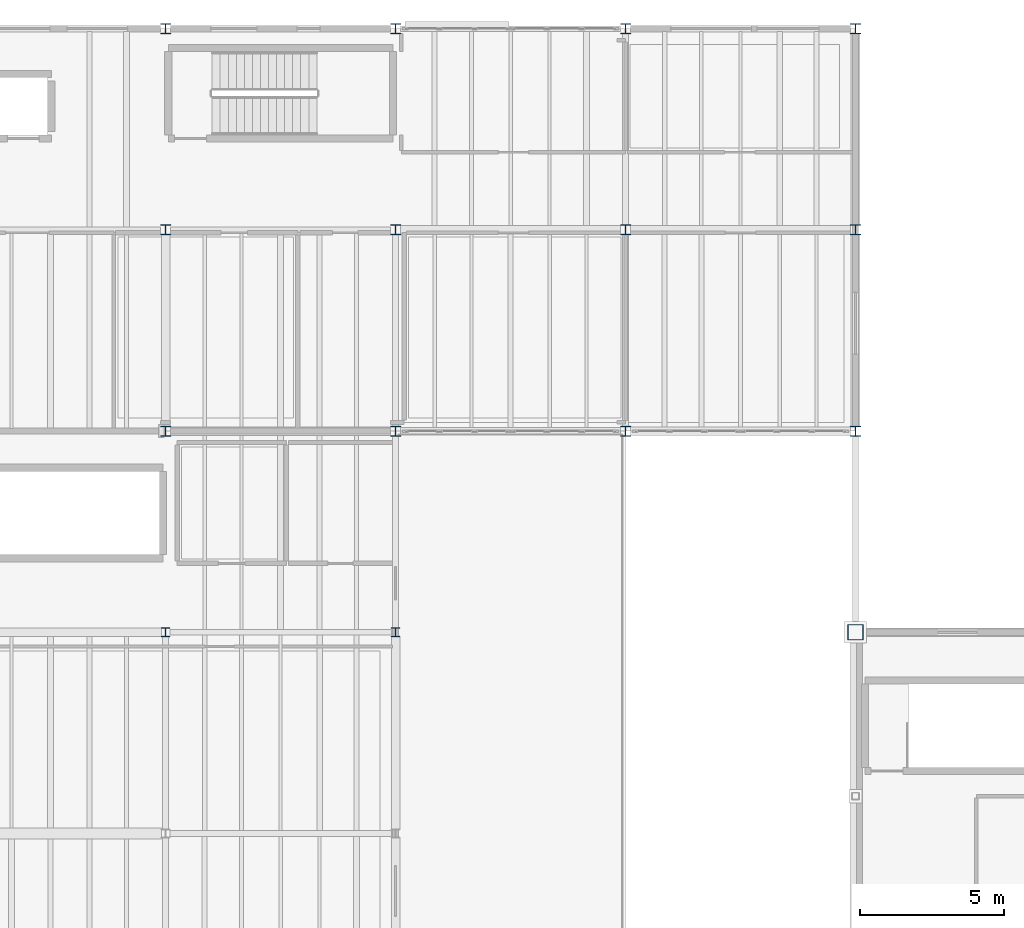
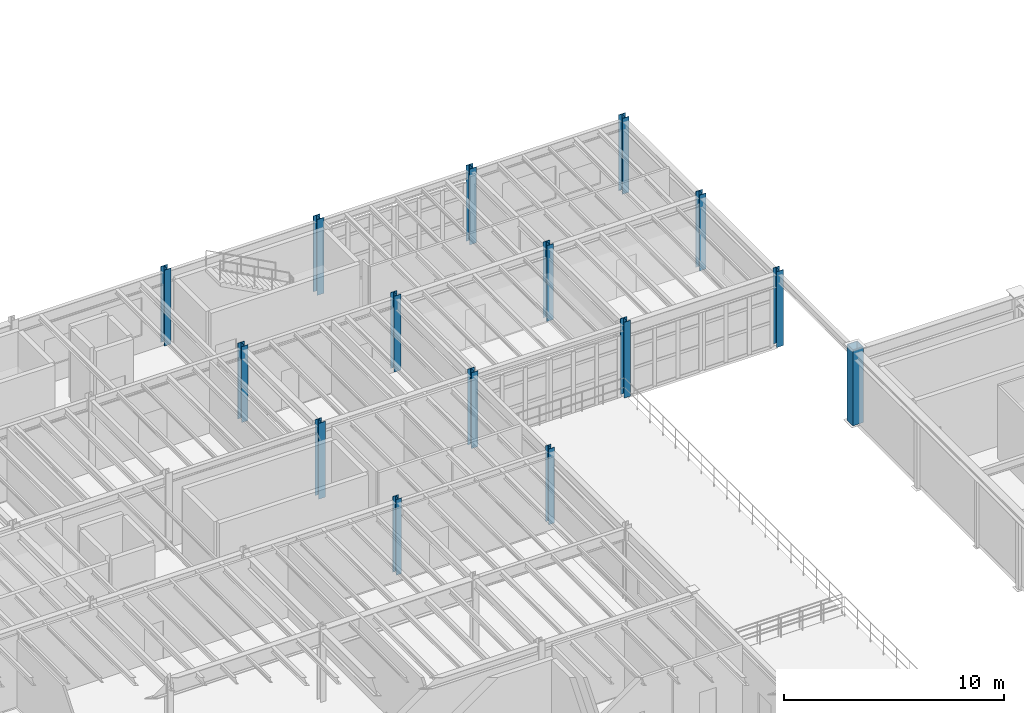
# One storey, part 4 of 78: 15 columns.
"""IFC4 building model written with IfcOpenShell, lengths in metres."""

from ifc_helpers import new_model, si_unit, direction, frame, origin, origin_2d, place, context, subcontext, project, spatial, hollow_rectangle, i_section, extrude, material, material_profile, profile_set, type_object, element, save


model = new_model("IFC4")

# Units and contexts
model_context = context("Model", 3, precision=1e-05, world=origin(), true_north=direction((0.0, 1.0)))
body_context = subcontext(model_context, "Body", "Model", "MODEL_VIEW")
ifc_project = project(units=[si_unit("LENGTHUNIT", "METRE"), si_unit("AREAUNIT", "SQUARE_METRE"), si_unit("VOLUMEUNIT", "CUBIC_METRE"), si_unit("PLANEANGLEUNIT", "RADIAN"), si_unit("MASSUNIT", "GRAM", prefix="KILO"), si_unit("THERMODYNAMICTEMPERATUREUNIT", "KELVIN"), si_unit("POWERUNIT", "WATT")], contexts=[model_context])

# Site, building, storey
site_placement = place(None, origin())
site = spatial("IfcSite", under=ifc_project, at=site_placement, CompositionType="ELEMENT")
building_placement = place(site_placement, origin())
building = spatial("IfcBuilding", under=site, at=building_placement, Name="Zhenchuan Central Fire Station", CompositionType="ELEMENT")
storey_placement = place(building_placement, frame((0.0, 0.0, 5.85009765625)))
storey = spatial("IfcBuildingStorey", under=building, at=storey_placement, Name="L02", CompositionType="ELEMENT", Elevation=5.85009765625)

# Columns
ifc_material = material(Name="Steel Q355B", Category="steel")
ifc_material_profile_1 = material_profile(ifc_material, hollow_rectangle(XDim=0.550048828125, YDim=0.550048828125, WallThickness=0.02587890625, at=origin_2d()), Name="BOX 550x550x26")
ifc_profile_set_1 = profile_set([ifc_material_profile_1], Name="Steel Q355B")
column_type_1 = type_object("IfcColumnType", Name="COL-BOX550", PredefinedType="COLUMN", material=ifc_profile_set_1)
column_placement = place(storey_placement, frame((56.0, 35.5, 0.0), z_axis=(0.0, 0.0, 1.0), x_axis=(1.0, 0.0, 0.0)))
element("IfcColumn", 1, at=column_placement, inside=storey, type_object=column_type_1, Name="L02 Column 059", PredefinedType="COLUMN", context=body_context, shape_type="SweptSolid", body=[
    extrude(hollow_rectangle(XDim=0.550048828125, YDim=0.550048828125, WallThickness=0.02587890625, at=origin_2d()), origin(), (0.0, 0.0, 1.0), 4.199951171875),
])
ifc_material_profile_2 = material_profile(ifc_material, i_section(OverallWidth=0.300048828125, OverallDepth=0.300048828125, WebThickness=0.010009765625, FlangeThickness=0.014892578125, FilletRadius=0.01806640625, at=origin_2d()), Name="HW 300x300")
ifc_profile_set_2 = profile_set([ifc_material_profile_2], Name="Steel Q355B")
column_type_2 = type_object("IfcColumnType", Name="COL-HW300-INT", PredefinedType="COLUMN", material=ifc_profile_set_2)
for number, where, z_axis, x_axis, name in (
    (2, (32.0, 35.5, 0.0), (0.0, 0.0, 1.0), (1.0, 0.0, 0.0), "L02 Column 042"),
    (3, (40.0, 35.5, 0.0), (0.0, 0.0, 1.0), (1.0, 0.0, 0.0), "L02 Column 051"),
):
    element("IfcColumn", number, at=place(storey_placement, frame(where, z_axis=z_axis, x_axis=x_axis)), inside=storey, type_object=column_type_2, Name=name, PredefinedType="COLUMN", context=body_context, shape_type="SweptSolid", body=[
        extrude(i_section(OverallWidth=0.300048828125, OverallDepth=0.300048828125, WebThickness=0.010009765625, FlangeThickness=0.014892578125, FilletRadius=0.01806640625, at=origin_2d()), origin(), (0.0, 0.0, 1.0), 4.199951171875),
    ])
ifc_material_profile_3 = material_profile(ifc_material, i_section(OverallWidth=0.35009765625, OverallDepth=0.35009765625, WebThickness=0.011962890625, FlangeThickness=0.01904296875, FilletRadius=0.02001953125, at=origin_2d()), Name="HW 350x350")
ifc_profile_set_3 = profile_set([ifc_material_profile_3], Name="Steel Q355B")
column_type_3 = type_object("IfcColumnType", Name="COL-HW350", PredefinedType="COLUMN", material=ifc_profile_set_3)
for number, where, z_axis, x_axis, name in (
    (4, (32.0, 56.5, 0.0), (0.0, 0.0, 1.0), (1.0, 0.0, 0.0), "L02 Column 045"),
    (5, (40.0, 56.5, 0.0), (0.0, 0.0, 1.0), (1.0, 0.0, 0.0), "L02 Column 054"),
    (6, (48.0, 56.5, 0.0), (0.0, 0.0, 1.0), (1.0, 0.0, 0.0), "L02 Column 057"),
    (7, (56.0, 56.5, 0.0), (0.0, 0.0, 1.0), (1.0, 0.0, 0.0), "L02 Column 062"),
):
    element("IfcColumn", number, at=place(storey_placement, frame(where, z_axis=z_axis, x_axis=x_axis)), inside=storey, type_object=column_type_3, Name=name, PredefinedType="COLUMN", context=body_context, shape_type="SweptSolid", body=[
        extrude(i_section(OverallWidth=0.35009765625, OverallDepth=0.35009765625, WebThickness=0.011962890625, FlangeThickness=0.01904296875, FilletRadius=0.02001953125, at=origin_2d()), origin(), (0.0, 0.0, 1.0), 4.199951171875),
    ])
ifc_material_profile_4 = material_profile(ifc_material, i_section(OverallWidth=0.35009765625, OverallDepth=0.35009765625, WebThickness=0.011962890625, FlangeThickness=0.01904296875, FilletRadius=0.02001953125, at=origin_2d()), Name="HW 350x350")
ifc_profile_set_4 = profile_set([ifc_material_profile_4], Name="Steel Q355B")
column_type_4 = type_object("IfcColumnType", Name="COL-HW350-INT", PredefinedType="COLUMN", material=ifc_profile_set_4)
for number, where, z_axis, x_axis, name in (
    (8, (32.0, 42.5, 0.0), (0.0, 0.0, 1.0), (1.0, 0.0, 0.0), "L02 Column 043"),
    (9, (32.0, 49.5, 0.0), (0.0, 0.0, 1.0), (1.0, 0.0, 0.0), "L02 Column 044"),
    (10, (40.0, 42.5, 0.0), (0.0, 0.0, 1.0), (1.0, 0.0, 0.0), "L02 Column 052"),
    (11, (40.0, 49.5, 0.0), (0.0, 0.0, 1.0), (1.0, 0.0, 0.0), "L02 Column 053"),
    (12, (48.0, 42.5, 0.0), (0.0, 0.0, 1.0), (1.0, 0.0, 0.0), "L02 Column 055"),
    (13, (48.0, 49.5, 0.0), (0.0, 0.0, 1.0), (1.0, 0.0, 0.0), "L02 Column 056"),
    (14, (56.0, 42.5, 0.0), (0.0, 0.0, 1.0), (1.0, 0.0, 0.0), "L02 Column 060"),
    (15, (56.0, 49.5, 0.0), (0.0, 0.0, 1.0), (1.0, 0.0, 0.0), "L02 Column 061"),
):
    element("IfcColumn", number, at=place(storey_placement, frame(where, z_axis=z_axis, x_axis=x_axis)), inside=storey, type_object=column_type_4, Name=name, PredefinedType="COLUMN", context=body_context, shape_type="SweptSolid", body=[
        extrude(i_section(OverallWidth=0.35009765625, OverallDepth=0.35009765625, WebThickness=0.011962890625, FlangeThickness=0.01904296875, FilletRadius=0.02001953125, at=origin_2d()), origin(), (0.0, 0.0, 1.0), 4.199951171875),
    ])

save(model, "model.ifc")
